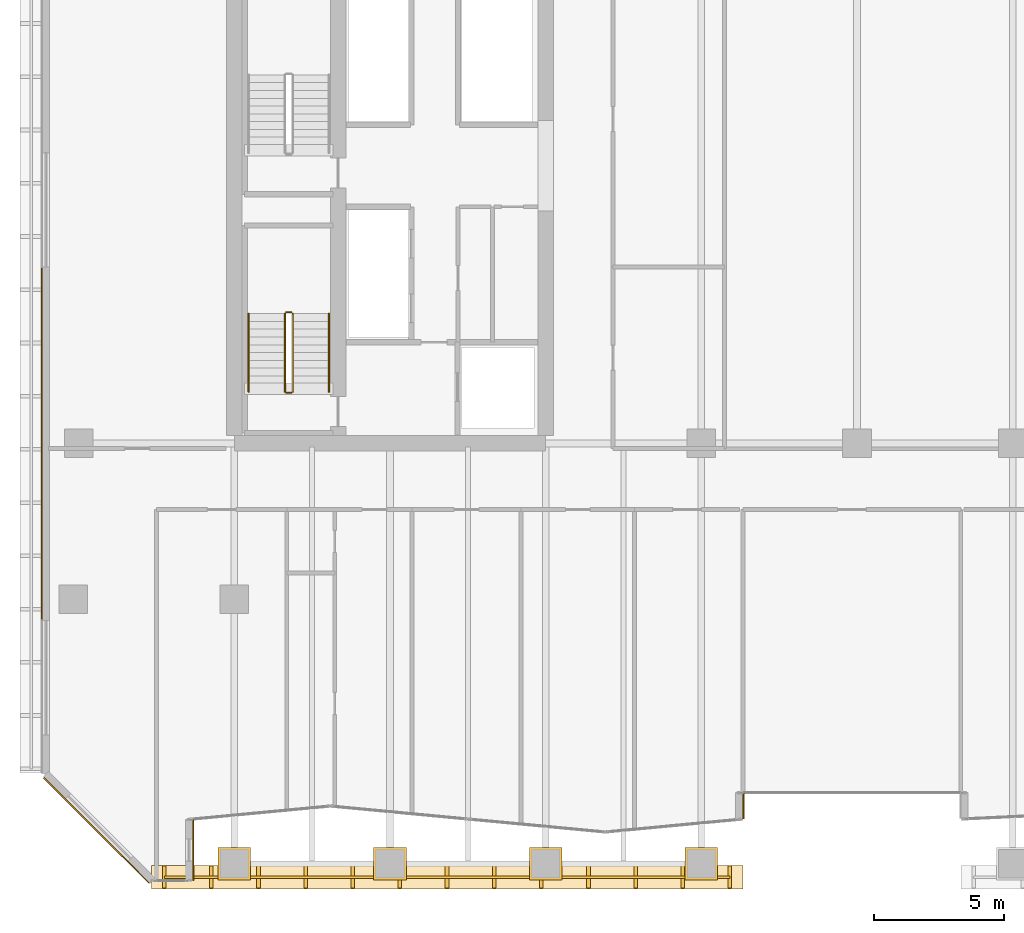
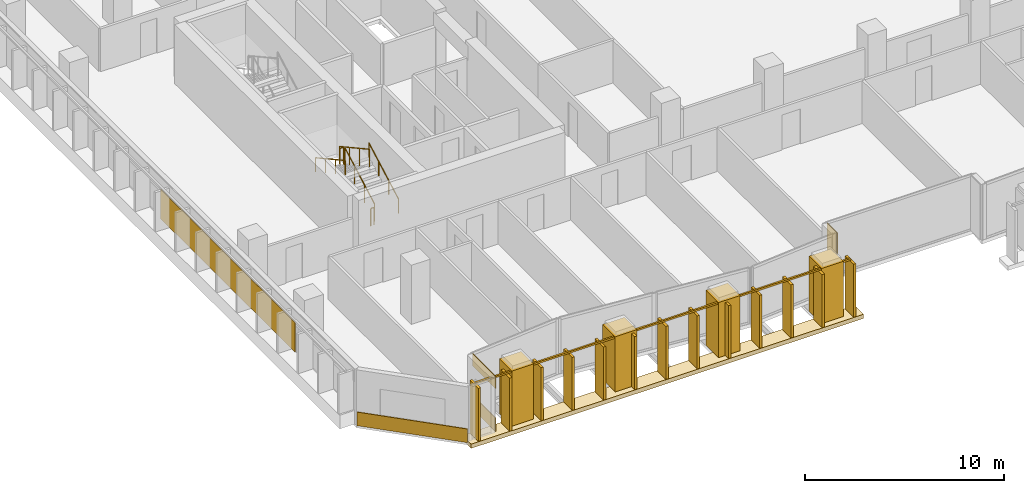
# One storey, part 27 of 32: 10 coverings, 7 railings.
"""IFC4 building model written with IfcOpenShell, lengths in metres."""

from ifc_helpers import new_model, si_unit, direction, frame, origin, origin_2d, place, context, subcontext, project, spatial, rectangle, extrude, material, layer, layer_set, type_object, element, save


model = new_model("IFC4")

# Units and contexts
model_context = context("Model", 3, precision=1e-05, world=origin(), true_north=direction((0.0, 1.0)))
body_context = subcontext(model_context, "Body", "Model", "MODEL_VIEW")
ifc_project = project(units=[si_unit("LENGTHUNIT", "METRE"), si_unit("AREAUNIT", "SQUARE_METRE"), si_unit("VOLUMEUNIT", "CUBIC_METRE"), si_unit("PLANEANGLEUNIT", "RADIAN"), si_unit("MASSUNIT", "GRAM", prefix="KILO")], contexts=[model_context])

# Site, building, storey
site_placement = place(None, origin())
site = spatial("IfcSite", under=ifc_project, at=site_placement, CompositionType="ELEMENT")
building_placement = place(site_placement, origin())
building = spatial("IfcBuilding", under=site, at=building_placement, Name="Tanjung Sevakor Pilgrim Tower", CompositionType="ELEMENT")
storey_placement = place(building_placement, frame((0.0, 0.0, 62.3701171875)))
storey = spatial("IfcBuildingStorey", under=building, at=storey_placement, Name="L17", CompositionType="ELEMENT", Elevation=62.3701171875)

# Coverings
ifc_material_1 = material(Name="Reconstructed Limestone Cladding", Category="masonry")
ifc_layer = layer(ifc_material_1, 0.044921875)
ifc_layer_set = layer_set([ifc_layer], Name="COV-CLAD-LIMESTONE")
covering_type = type_object("IfcCoveringType", Name="COV-CLAD-LIMESTONE", PredefinedType="CLADDING", material=ifc_layer_set)
covering_1_placement = place(storey_placement, frame((22.422607421875, 8.923583984375, 0.009765625), z_axis=(0.0, 0.0, 1.0), x_axis=(0.0, 1.0, 0.0)))
element("IfcCovering", 1, at=covering_1_placement, inside=storey, type_object=covering_type, Name="L17 Warm Limestone Sill Spandrel EW-L17-MAIN-2-1", PredefinedType="CLADDING", context=body_context, shape_type="SweptSolid", body=[
    extrude(rectangle(XDim=2.287353515625, YDim=0.044921875, at=origin_2d()), origin(), (0.0, 0.0, 1.0), 0.840087890625),
])
covering_2_placement = place(storey_placement, frame((22.422607421875, 8.923583984375, 2.65966796875), z_axis=(0.0, 0.0, 1.0), x_axis=(0.0, 1.0, 0.0)))
element("IfcCovering", 2, at=covering_2_placement, inside=storey, type_object=covering_type, Name="L17 Warm Limestone Cornice Spandrel EW-L17-MAIN-2", PredefinedType="CLADDING", context=body_context, shape_type="SweptSolid", body=[
    extrude(rectangle(XDim=2.327392578125, YDim=0.044921875, at=origin_2d()), origin(), (0.0, 0.0, 1.0), 0.739990234375),
])
covering_3_placement = place(storey_placement, frame((43.62255859375, 10.623779296875, 0.019775390625), z_axis=(0.0, 0.0, 1.0), x_axis=(0.0, 1.0, 0.0)))
element("IfcCovering", 3, at=covering_3_placement, inside=storey, type_object=covering_type, Name="L17 Warm Limestone Wall Cladding EW-L17-MAIN-7", PredefinedType="CLADDING", context=body_context, shape_type="SweptSolid", body=[
    extrude(rectangle(XDim=0.99267578125, YDim=0.044921875, at=origin_2d()), origin(), (0.0, 0.0, 1.0), 3.3701171875),
])
covering_4_placement = place(storey_placement, frame((16.577392578125, 24.58447265625, 0.849853515625), z_axis=(0.0, 0.0, 1.0), x_axis=(0.0, -1.0, 0.0)))
element("IfcCovering", 4, at=covering_4_placement, inside=storey, type_object=covering_type, Name="L17 Warm Limestone Pier Panel EW-L17-MAIN-35-2", PredefinedType="CLADDING", context=body_context, shape_type="SweptSolid", body=[
    extrude(rectangle(XDim=13.531005859375, YDim=0.044921875, at=origin_2d()), origin(), (0.0, 0.0, 1.0), 1.81005859375),
])
covering_5_placement = place(storey_placement, frame((18.68408203125, 9.68408203125, 0.009765625), z_axis=(0.0, 0.0, 1.0), x_axis=(0.707106781187, -0.707106781187, 0.0)))
element("IfcCovering", 5, at=covering_5_placement, inside=storey, type_object=covering_type, Name="L17 Warm Limestone Sill Spandrel EW-CHM-L17-MAIN-35-1", PredefinedType="CLADDING", context=body_context, shape_type="SweptSolid", body=[
    extrude(rectangle(XDim=5.74365234375, YDim=0.044921875, at=origin_2d()), origin(), (0.0, 0.0, 1.0), 0.840087890625),
])
for number, where, z_axis, x_axis, name in (
    (6, (24.0, 8.39990234375, 0.009765625), (0.0, 0.0, 1.0), (1.0, 0.0, 0.0), "L17 Colonnade Pier Limestone Casing 25"),
    (7, (30.0, 8.39990234375, 0.009765625), (0.0, 0.0, 1.0), (1.0, 0.0, 0.0), "L17 Colonnade Pier Limestone Casing 27"),
    (8, (36.0, 8.39990234375, 0.009765625), (0.0, 0.0, 1.0), (1.0, 0.0, 0.0), "L17 Colonnade Pier Limestone Casing 29"),
    (9, (42.0, 8.39990234375, 0.009765625), (0.0, 0.0, 1.0), (1.0, 0.0, 0.0), "L17 Colonnade Pier Limestone Casing 31"),
):
    element("IfcCovering", number, at=place(storey_placement, frame(where, z_axis=z_axis, x_axis=x_axis)), inside=storey, type_object=covering_type, Name=name, PredefinedType="CLADDING", context=body_context, shape_type="SweptSolid", body=[
        extrude(rectangle(XDim=1.260009765625, YDim=1.260009765625, at=origin_2d()), origin(), (0.0, 0.0, 1.0), 3.389892578125),
    ])
covering_6_placement = place(storey_placement, frame((32.199951171875, 7.8798828125, -0.25), z_axis=(0.0, 0.0, 1.0), x_axis=(1.0, 0.0, 0.0)))
element("IfcCovering", 10, at=covering_6_placement, inside=storey, type_object=covering_type, Name="L17 S-Curve Outer Fin Tie Sill SW", PredefinedType="CLADDING", context=body_context, shape_type="SweptSolid", body=[
    extrude(rectangle(XDim=22.800048828125, YDim=0.89990234375, at=origin_2d()), origin(), (0.0, 0.0, 1.0), 0.260009765625),
])

# Railings
ifc_material_2 = material(Name="Anodised Bronze Aluminium 6063-T6", Category="aluminium")
railing_type_1 = type_object("IfcRailingType", Name="RL-FIN-SCREEN", PredefinedType="BALUSTRADE", material=ifc_material_2)
railing_1_placement = place(storey_placement, frame((21.300048828125, 7.8798828125, 0.0)))
element("IfcRailing", 11, at=railing_1_placement, inside=storey, type_object=railing_type_1, Name="L17 Vertical Bronze-Gold Solar Fin Screen FN-SCGAP-L17-SW-1", PredefinedType="BALUSTRADE", context=body_context, shape_type="SweptSolid", body=[
    extrude(rectangle(XDim=0.105, YDim=0.105), frame((0.0, 0.0, 3.317626953125), z_axis=(1.0, 0.0, 0.0), x_axis=(0.0, 1.0, 0.0)), (0.0, 0.0, 1.0), 21.800048828125),
    extrude(rectangle(XDim=0.14, YDim=0.85), origin(), (0.0, 0.0, 1.0), 3.26513671875),
    extrude(rectangle(XDim=0.14, YDim=0.85), frame((1.816650390625, 0.0, 0.0)), (0.0, 0.0, 1.0), 3.26513671875),
    extrude(rectangle(XDim=0.14, YDim=0.85), frame((3.63330078125, 0.0, 0.0)), (0.0, 0.0, 1.0), 3.26513671875),
    extrude(rectangle(XDim=0.14, YDim=0.85), frame((5.449951171875, 0.0, 0.0)), (0.0, 0.0, 1.0), 3.26513671875),
    extrude(rectangle(XDim=0.14, YDim=0.85), frame((7.2666015625, 0.0, 0.0)), (0.0, 0.0, 1.0), 3.26513671875),
    extrude(rectangle(XDim=0.14, YDim=0.85), frame((9.083251953125, 0.0, 0.0)), (0.0, 0.0, 1.0), 3.26513671875),
    extrude(rectangle(XDim=0.14, YDim=0.85), frame((10.89990234375, 0.0, 0.0)), (0.0, 0.0, 1.0), 3.26513671875),
    extrude(rectangle(XDim=0.14, YDim=0.85), frame((12.716796875, 0.0, 0.0)), (0.0, 0.0, 1.0), 3.26513671875),
    extrude(rectangle(XDim=0.14, YDim=0.85), frame((14.533447265625, 0.0, 0.0)), (0.0, 0.0, 1.0), 3.26513671875),
    extrude(rectangle(XDim=0.14, YDim=0.85), frame((16.35009765625, 0.0, 0.0)), (0.0, 0.0, 1.0), 3.26513671875),
    extrude(rectangle(XDim=0.14, YDim=0.85), frame((18.166748046875, 0.0, 0.0)), (0.0, 0.0, 1.0), 3.26513671875),
    extrude(rectangle(XDim=0.14, YDim=0.85), frame((19.9833984375, 0.0, 0.0)), (0.0, 0.0, 1.0), 3.26513671875),
    extrude(rectangle(XDim=0.14, YDim=0.85), frame((21.800048828125, 0.0, 0.0)), (0.0, 0.0, 1.0), 3.26513671875),
])
ifc_material_3 = material(Name="Steel S355J2", Category="steel")
railing_type_2 = type_object("IfcRailingType", Name="RL-STAIR-GUARD", PredefinedType="GUARDRAIL", material=ifc_material_3)
railing_2_placement = place(storey_placement, frame((26.25, 26.60009765625, 0.164794921875)))
element("IfcRailing", 12, at=railing_2_placement, inside=storey, type_object=railing_type_2, Name="L17 TS-W1 stair guard 1", PredefinedType="GUARDRAIL", context=body_context, shape_type="SweptSolid", body=[
    extrude(rectangle(XDim=0.0479, YDim=0.0479), frame((0.0, 0.0, 1.076171875), z_axis=(0.0, 0.876197842262, 0.481951596342), x_axis=(-1.0, 0.0, 0.0)), (0.0, 0.0, 1.0), 3.423828125),
    extrude(rectangle(XDim=0.042, YDim=0.042), origin(), (0.0, 0.0, 1.0), 1.052001953125),
    extrude(rectangle(XDim=0.042, YDim=0.042), frame((0.0, 1.0, 0.550048828125)), (0.0, 0.0, 1.0), 1.052001953125),
    extrude(rectangle(XDim=0.042, YDim=0.042), frame((0.0, 2.0, 1.10009765625)), (0.0, 0.0, 1.0), 1.052001953125),
    extrude(rectangle(XDim=0.042, YDim=0.042), frame((0.0, 3.0, 1.650146484375)), (0.0, 0.0, 1.0), 1.052001953125),
])
railing_3_placement = place(storey_placement, frame((26.199951171875, 29.64990234375, 1.81494140625)))
element("IfcRailing", 13, at=railing_3_placement, inside=storey, type_object=railing_type_2, Name="L17 TS-W1 stair guard 2", PredefinedType="GUARDRAIL", context=body_context, shape_type="SweptSolid", body=[
    extrude(rectangle(XDim=0.0479, YDim=0.0479), frame((0.0, 0.0, 1.076171875), z_axis=(-1.0, 0.0, 0.0), x_axis=(0.0, -1.0, 0.0)), (0.0, 0.0, 1.0), 0.199951171875),
    extrude(rectangle(XDim=0.042, YDim=0.042), origin(), (0.0, 0.0, 1.0), 1.052001953125),
    extrude(rectangle(XDim=0.042, YDim=0.042), frame((-0.199951171875, 0.0, 0.0)), (0.0, 0.0, 1.0), 1.052001953125),
])
railing_4_placement = place(storey_placement, frame((25.949951171875, 29.60009765625, 1.97998046875)))
element("IfcRailing", 14, at=railing_4_placement, inside=storey, type_object=railing_type_2, Name="L17 TS-W1 stair guard 3", PredefinedType="GUARDRAIL", context=body_context, shape_type="SweptSolid", body=[
    extrude(rectangle(XDim=0.0479, YDim=0.0479), frame((0.0, 0.0, 1.076171875), z_axis=(0.0, -0.876227952683, 0.48189685093), x_axis=(1.0, 0.0, 0.0)), (0.0, 0.0, 1.0), 3.423828125),
    extrude(rectangle(XDim=0.042, YDim=0.042), origin(), (0.0, 0.0, 1.0), 1.052001953125),
    extrude(rectangle(XDim=0.042, YDim=0.042), frame((0.0, -1.0, 0.550048828125)), (0.0, 0.0, 1.0), 1.052001953125),
    extrude(rectangle(XDim=0.042, YDim=0.042), frame((0.0, -2.0, 1.099853515625)), (0.0, 0.0, 1.0), 1.052001953125),
    extrude(rectangle(XDim=0.042, YDim=0.042), frame((0.0, -3.0, 1.64990234375)), (0.0, 0.0, 1.0), 1.052001953125),
])
railing_5_placement = place(storey_placement, frame((26.199951171875, 26.550048828125, 0.0)))
element("IfcRailing", 15, at=railing_5_placement, inside=storey, type_object=railing_type_2, Name="L17 TS-W1 stair guard 4", PredefinedType="GUARDRAIL", context=body_context, shape_type="SweptSolid", body=[
    extrude(rectangle(XDim=0.0479, YDim=0.0479), frame((0.0, 0.0, 1.076171875), z_axis=(-1.0, 0.0, 0.0), x_axis=(0.0, -1.0, 0.0)), (0.0, 0.0, 1.0), 0.199951171875),
    extrude(rectangle(XDim=0.042, YDim=0.042), origin(), (0.0, 0.0, 1.0), 1.052001953125),
    extrude(rectangle(XDim=0.042, YDim=0.042), frame((-0.199951171875, 0.0, 0.0)), (0.0, 0.0, 1.0), 1.052001953125),
])
ifc_material_4 = material(Name="Steel S355J2", Category="steel")
railing_type_3 = type_object("IfcRailingType", Name="RL-STAIR-HAND", PredefinedType="HANDRAIL", material=ifc_material_4)
railing_6_placement = place(storey_placement, frame((27.64990234375, 26.60009765625, 0.164794921875)))
element("IfcRailing", 16, at=railing_6_placement, inside=storey, type_object=railing_type_3, Name="L17 TS-W1 stair handrail 1", PredefinedType="HANDRAIL", context=body_context, shape_type="SweptSolid", body=[
    extrude(rectangle(XDim=0.0479, YDim=0.0479), frame((0.0, 0.0, 0.8759765625), z_axis=(0.0, 0.876197842262, 0.481951596342), x_axis=(-1.0, 0.0, 0.0)), (0.0, 0.0, 1.0), 3.423828125),
    extrude(rectangle(XDim=0.042, YDim=0.042), origin(), (0.0, 0.0, 1.0), 0.851806640625),
    extrude(rectangle(XDim=0.042, YDim=0.042), frame((0.0, 1.0, 0.550048828125)), (0.0, 0.0, 1.0), 0.851806640625),
    extrude(rectangle(XDim=0.042, YDim=0.042), frame((0.0, 2.0, 1.10009765625)), (0.0, 0.0, 1.0), 0.851806640625),
    extrude(rectangle(XDim=0.042, YDim=0.042), frame((0.0, 3.0, 1.650146484375)), (0.0, 0.0, 1.0), 0.851806640625),
])
railing_7_placement = place(storey_placement, frame((24.550048828125, 29.60009765625, 1.97998046875)))
element("IfcRailing", 17, at=railing_7_placement, inside=storey, type_object=railing_type_3, Name="L17 TS-W1 stair handrail 2", PredefinedType="HANDRAIL", context=body_context, shape_type="SweptSolid", body=[
    extrude(rectangle(XDim=0.0479, YDim=0.0479), frame((0.0, 0.0, 0.8759765625), z_axis=(0.0, -0.876227952683, 0.48189685093), x_axis=(1.0, 0.0, 0.0)), (0.0, 0.0, 1.0), 3.423828125),
    extrude(rectangle(XDim=0.042, YDim=0.042), origin(), (0.0, 0.0, 1.0), 0.851806640625),
    extrude(rectangle(XDim=0.042, YDim=0.042), frame((0.0, -1.0, 0.550048828125)), (0.0, 0.0, 1.0), 0.851806640625),
    extrude(rectangle(XDim=0.042, YDim=0.042), frame((0.0, -2.0, 1.099853515625)), (0.0, 0.0, 1.0), 0.851806640625),
    extrude(rectangle(XDim=0.042, YDim=0.042), frame((0.0, -3.0, 1.64990234375)), (0.0, 0.0, 1.0), 0.851806640625),
])

save(model, "model.ifc")
